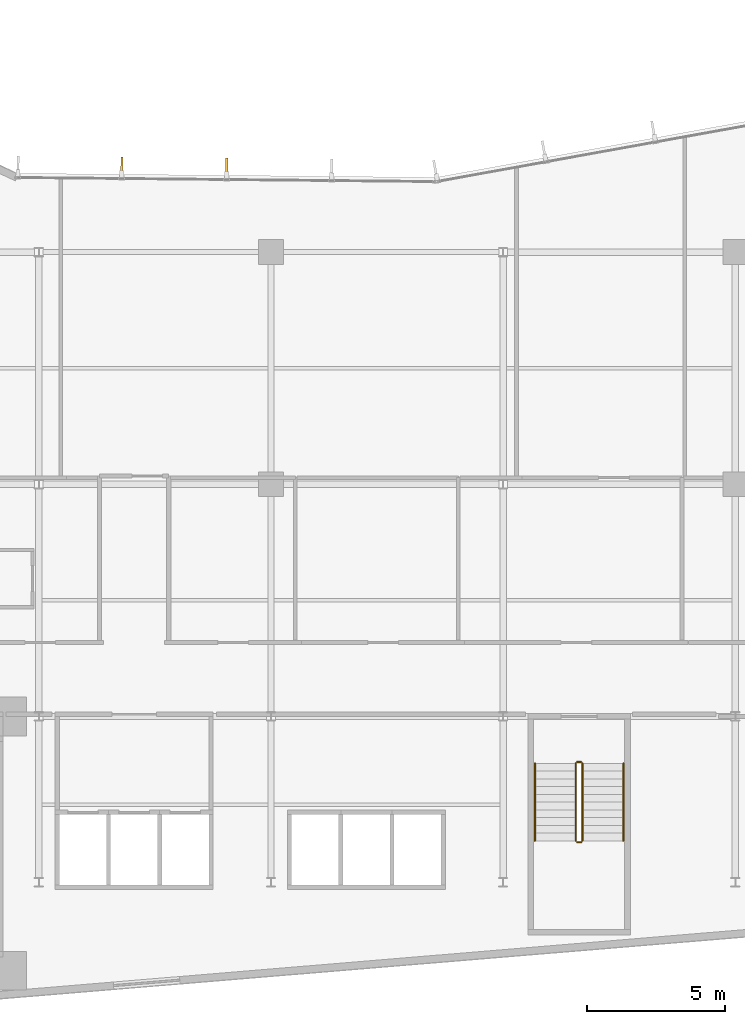
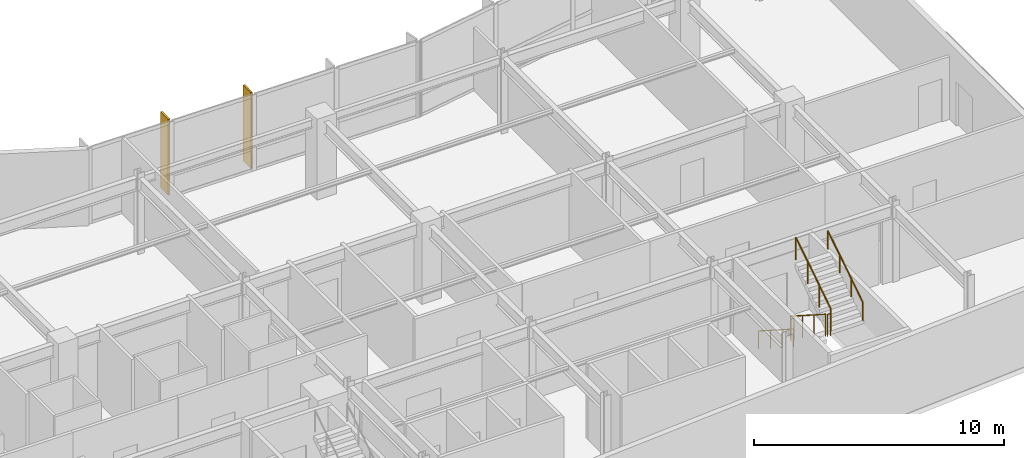
# One storey, part 15 of 18: 6 railings, 2 shading devices.
"""IFC4 building model written with IfcOpenShell, lengths in metres."""

from ifc_helpers import new_model, si_unit, direction, frame, origin, origin_2d, place, context, subcontext, project, spatial, rectangle, circle, extrude, material, layer, layer_set, type_object, element, save


model = new_model("IFC4")

# Units and contexts
model_context = context("Model", 3, precision=1e-05, world=origin(), true_north=direction((0.0, 1.0)))
body_context = subcontext(model_context, "Body", "Model", "MODEL_VIEW")
ifc_project = project(units=[si_unit("LENGTHUNIT", "METRE"), si_unit("AREAUNIT", "SQUARE_METRE"), si_unit("VOLUMEUNIT", "CUBIC_METRE"), si_unit("PLANEANGLEUNIT", "RADIAN"), si_unit("MASSUNIT", "GRAM", prefix="KILO")], contexts=[model_context])

# Site, building, storey
site_placement = place(None, origin())
site = spatial("IfcSite", under=ifc_project, at=site_placement, CompositionType="ELEMENT")
building_placement = place(site_placement, origin())
building = spatial("IfcBuilding", under=site, at=building_placement, Name="Varnakote Quay Hospital", CompositionType="ELEMENT")
storey_placement = place(building_placement, frame((0.0, 0.0, 73.85009765625)))
storey = spatial("IfcBuildingStorey", under=building, at=storey_placement, Name="L18", CompositionType="ELEMENT", Elevation=73.85009765625)

# Railings
ifc_material_1 = material(Name="Brushed stainless steel balustrade", Category="steel")
railing_type_1 = type_object("IfcRailingType", Name="RLG-STAIR-GUARD-1150", PredefinedType="GUARDRAIL", material=ifc_material_1)
railing_1_placement = place(storey_placement, frame((44.6298828125, 10.300048828125, 0.179443359375)))
element("IfcRailing", 1, at=railing_1_placement, inside=storey, type_object=railing_type_1, Name="L18 ST-03 stair guard 1", PredefinedType="GUARDRAIL", context=body_context, shape_type="SweptSolid", body=[
    extrude(circle(Radius=0.02392578125, at=origin_2d()), frame((0.0, 0.0, 1.076171875), z_axis=(0.0, -0.841809871826, 0.539774156196), x_axis=(1.0, 0.0, 0.0)), (0.0, 0.0, 1.0), 3.326171875),
    extrude(circle(Radius=0.02099609375, at=origin_2d()), origin(), (0.0, 0.0, 1.0), 1.052001953125),
    extrude(circle(Radius=0.02099609375, at=origin_2d()), frame((0.0, -0.933349609375, 0.598388671875)), (0.0, 0.0, 1.0), 1.052001953125),
    extrude(circle(Radius=0.02099609375, at=origin_2d()), frame((0.0, -1.86669921875, 1.197021484375)), (0.0, 0.0, 1.0), 1.052001953125),
    extrude(circle(Radius=0.02099609375, at=origin_2d()), frame((0.0, -2.800048828125, 1.79541015625)), (0.0, 0.0, 1.0), 1.052001953125),
])
railing_2_placement = place(storey_placement, frame((44.679931640625, 7.449951171875, 1.974853515625)))
element("IfcRailing", 2, at=railing_2_placement, inside=storey, type_object=railing_type_1, Name="L18 ST-03 stair guard 2", PredefinedType="GUARDRAIL", context=body_context, shape_type="SweptSolid", body=[
    extrude(circle(Radius=0.02392578125, at=origin_2d()), frame((0.0, 0.0, 1.076171875), z_axis=(1.0, 0.0, 0.0), x_axis=(0.0, 1.0, 0.0)), (0.0, 0.0, 1.0), 0.14013671875),
    extrude(circle(Radius=0.02099609375, at=origin_2d()), origin(), (0.0, 0.0, 1.0), 1.052001953125),
    extrude(circle(Radius=0.02099609375, at=origin_2d()), frame((0.14013671875, 0.0, 0.0)), (0.0, 0.0, 1.0), 1.052001953125),
])
railing_3_placement = place(storey_placement, frame((44.8701171875, 7.5, 2.154541015625)))
element("IfcRailing", 3, at=railing_3_placement, inside=storey, type_object=railing_type_1, Name="L18 ST-03 stair guard 3", PredefinedType="GUARDRAIL", context=body_context, shape_type="SweptSolid", body=[
    extrude(circle(Radius=0.02392578125, at=origin_2d()), frame((0.0, 0.0, 1.076171875), z_axis=(0.0, 0.841809871826, 0.539774156196), x_axis=(-1.0, 0.0, 0.0)), (0.0, 0.0, 1.0), 3.326171875),
    extrude(circle(Radius=0.02099609375, at=origin_2d()), origin(), (0.0, 0.0, 1.0), 1.052001953125),
    extrude(circle(Radius=0.02099609375, at=origin_2d()), frame((0.0, 0.933349609375, 0.598388671875)), (0.0, 0.0, 1.0), 1.052001953125),
    extrude(circle(Radius=0.02099609375, at=origin_2d()), frame((0.0, 1.86669921875, 1.197021484375)), (0.0, 0.0, 1.0), 1.052001953125),
    extrude(circle(Radius=0.02099609375, at=origin_2d()), frame((0.0, 2.800048828125, 1.79541015625)), (0.0, 0.0, 1.0), 1.052001953125),
])
railing_4_placement = place(storey_placement, frame((44.679931640625, 10.35009765625, 0.0)))
element("IfcRailing", 4, at=railing_4_placement, inside=storey, type_object=railing_type_1, Name="L18 ST-03 stair guard 4", PredefinedType="GUARDRAIL", context=body_context, shape_type="SweptSolid", body=[
    extrude(circle(Radius=0.02392578125, at=origin_2d()), frame((0.0, 0.0, 1.076171875), z_axis=(1.0, 0.0, 0.0), x_axis=(0.0, 1.0, 0.0)), (0.0, 0.0, 1.0), 0.14013671875),
    extrude(circle(Radius=0.02099609375, at=origin_2d()), origin(), (0.0, 0.0, 1.0), 1.052001953125),
    extrude(circle(Radius=0.02099609375, at=origin_2d()), frame((0.14013671875, 0.0, 0.0)), (0.0, 0.0, 1.0), 1.052001953125),
])
ifc_material_2 = material(Name="Brushed stainless steel handrail", Category="steel")
railing_type_2 = type_object("IfcRailingType", Name="RLG-STAIR-HND-920", PredefinedType="HANDRAIL", material=ifc_material_2)
railing_5_placement = place(storey_placement, frame((43.14990234375, 10.300048828125, 0.179443359375)))
element("IfcRailing", 5, at=railing_5_placement, inside=storey, type_object=railing_type_2, Name="L18 ST-03 stair handrail 1", PredefinedType="HANDRAIL", context=body_context, shape_type="SweptSolid", body=[
    extrude(circle(Radius=0.02392578125, at=origin_2d()), frame((0.0, 0.0, 0.8759765625), z_axis=(0.0, -0.841809871826, 0.539774156196), x_axis=(1.0, 0.0, 0.0)), (0.0, 0.0, 1.0), 3.326171875),
    extrude(circle(Radius=0.02099609375, at=origin_2d()), origin(), (0.0, 0.0, 1.0), 0.851806640625),
    extrude(circle(Radius=0.02099609375, at=origin_2d()), frame((0.0, -0.933349609375, 0.598388671875)), (0.0, 0.0, 1.0), 0.851806640625),
    extrude(circle(Radius=0.02099609375, at=origin_2d()), frame((0.0, -1.86669921875, 1.197021484375)), (0.0, 0.0, 1.0), 0.851806640625),
    extrude(circle(Radius=0.02099609375, at=origin_2d()), frame((0.0, -2.800048828125, 1.79541015625)), (0.0, 0.0, 1.0), 0.851806640625),
])
railing_6_placement = place(storey_placement, frame((46.35009765625, 7.5, 2.154541015625)))
element("IfcRailing", 6, at=railing_6_placement, inside=storey, type_object=railing_type_2, Name="L18 ST-03 stair handrail 2", PredefinedType="HANDRAIL", context=body_context, shape_type="SweptSolid", body=[
    extrude(circle(Radius=0.02392578125, at=origin_2d()), frame((0.0, 0.0, 0.8759765625), z_axis=(0.0, 0.841809871826, 0.539774156196), x_axis=(-1.0, 0.0, 0.0)), (0.0, 0.0, 1.0), 3.326171875),
    extrude(circle(Radius=0.02099609375, at=origin_2d()), origin(), (0.0, 0.0, 1.0), 0.851806640625),
    extrude(circle(Radius=0.02099609375, at=origin_2d()), frame((0.0, 0.933349609375, 0.598388671875)), (0.0, 0.0, 1.0), 0.851806640625),
    extrude(circle(Radius=0.02099609375, at=origin_2d()), frame((0.0, 1.86669921875, 1.197021484375)), (0.0, 0.0, 1.0), 0.851806640625),
    extrude(circle(Radius=0.02099609375, at=origin_2d()), frame((0.0, 2.800048828125, 1.79541015625)), (0.0, 0.0, 1.0), 0.851806640625),
])

# Shading devices
ifc_material_3 = material(Name="Anodised aluminium 6063-T6 Bronze", Category="aluminium")
ifc_layer = layer(ifc_material_3, 0.0849609375)
ifc_layer_set = layer_set([ifc_layer], Name="Anodised aluminium 6063-T6 Bronze")
shading_device_type = type_object("IfcShadingDeviceType", Name="SHD-BRONZE-FIN-620", PredefinedType="USERDEFINED", material=ifc_layer_set)
for number, where, z_axis, x_axis, name in (
    (7, (32.003173828125, 31.88818359375, 0.0), (0.0, 0.0, 1.0), (-0.009773688199, -0.999952236369, 0.0), "L18 Anodised Bronze Vertical Shading FIN"),
    (8, (28.207763671875, 31.92529296875, 0.0), (0.0, 0.0, 1.0), (-0.009773688199, -0.999952236369, 0.0), "L18 Anodised Bronze Vertical Shading FIN"),
):
    element("IfcShadingDevice", number, at=place(storey_placement, frame(where, z_axis=z_axis, x_axis=x_axis)), inside=storey, type_object=shading_device_type, Name=name, ObjectType="FIN", PredefinedType="USERDEFINED", context=body_context, shape_type="SweptSolid", body=[
        extrude(rectangle(XDim=0.6201171875, YDim=0.0849609375, at=origin_2d()), origin(), (0.0, 0.0, 1.0), 3.7099609375),
    ])

save(model, "model.ifc")
